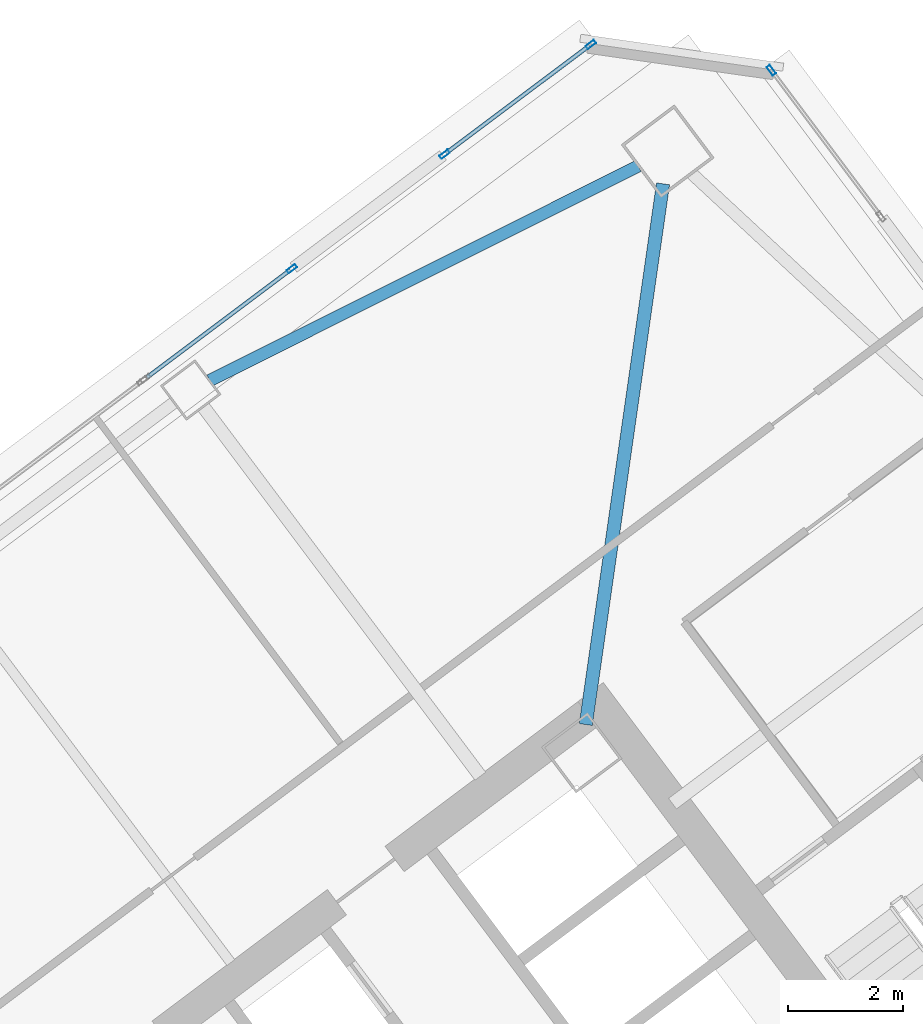
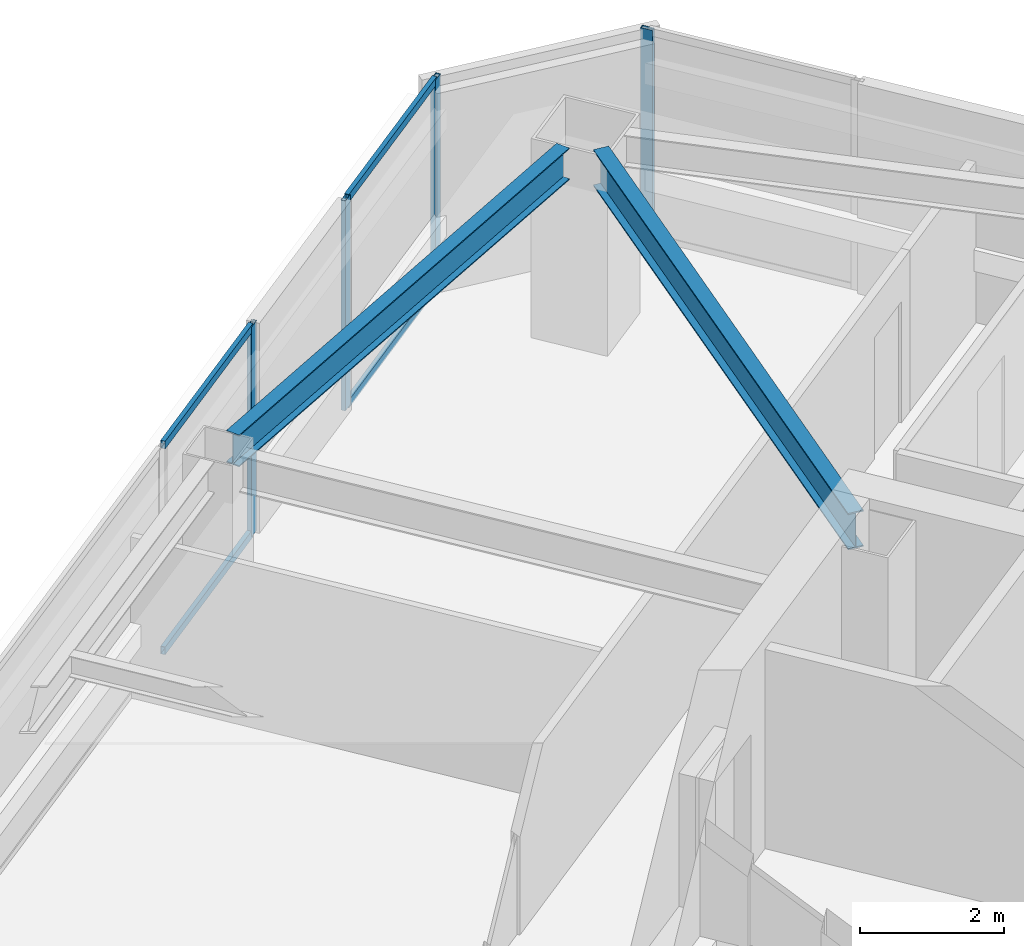
# One storey, part 31 of 46: 8 members, 2 beams, 3 elements without a shape of their own.
"""IFC4 building model written with IfcOpenShell, lengths in metres."""

from ifc_helpers import new_model, si_unit, direction, frame, origin, origin_2d, place, context, subcontext, project, spatial, hollow_rectangle, i_section, extrude, material, material_profile, profile_set, type_object, element, aggregate, save


model = new_model("IFC4")

# Units and contexts
model_context = context("Model", 3, precision=1e-05, world=origin(), true_north=direction((0.0, 1.0)))
body_context = subcontext(model_context, "Body", "Model", "MODEL_VIEW")
ifc_project = project(units=[si_unit("LENGTHUNIT", "METRE"), si_unit("AREAUNIT", "SQUARE_METRE"), si_unit("VOLUMEUNIT", "CUBIC_METRE"), si_unit("PLANEANGLEUNIT", "RADIAN"), si_unit("MASSUNIT", "GRAM", prefix="KILO")], contexts=[model_context])

# Site, building, storey
site_placement = place(None, origin())
site = spatial("IfcSite", under=ifc_project, at=site_placement, CompositionType="ELEMENT")
building_placement = place(site_placement, origin())
building = spatial("IfcBuilding", under=site, at=building_placement, Name="Tashvorn Skyway Center", CompositionType="ELEMENT")
storey_placement = place(building_placement, frame((0.0, 0.0, 167.64990234375)))
storey = spatial("IfcBuildingStorey", under=building, at=storey_placement, Name="L45", CompositionType="ELEMENT", Elevation=167.64990234375)

# Beams
ifc_material_1 = material(Name="Steel ASTM A992 Grade 50", Category="steel")
ifc_material_profile_1 = material_profile(ifc_material_1, i_section(OverallWidth=0.22998046875, OverallDepth=0.616943359375, WebThickness=0.01318359375, FlangeThickness=0.022216796875, at=origin_2d()), Name="W24X94")
ifc_profile_set_1 = profile_set([ifc_material_profile_1], Name="Steel ASTM A992 Grade 50")
beam_type_1 = type_object("IfcBeamType", Name="BM-BEAM-W24X94", PredefinedType="BEAM", material=ifc_profile_set_1)
beam_1_placement = place(storey_placement, frame((116.8193359375, 51.73583984375, 3.0615234375), z_axis=(-0.141417747326, -0.989950009213, 0.0), x_axis=(0.989950009213, -0.141417747326, 0.0)))
element("IfcBeam", 1, at=beam_1_placement, inside=storey, type_object=beam_type_1, Name="Tower 2 L45 Primary Floor Girder MC-NE", PredefinedType="BEAM", context=body_context, shape_type="SweptSolid", body=[
    extrude(i_section(OverallWidth=0.22998046875, OverallDepth=0.616943359375, WebThickness=0.01318359375, FlangeThickness=0.022216796875, at=origin_2d()), origin(), (0.0, 0.0, 1.0), 9.470947265625),
])
ifc_material_profile_2 = material_profile(ifc_material_1, i_section(OverallWidth=0.2109375, OverallDepth=0.5390625, WebThickness=0.01171875, FlangeThickness=0.018798828125, at=origin_2d()), Name="W21X73")
ifc_profile_set_2 = profile_set([ifc_material_profile_2], Name="Steel ASTM A992 Grade 50")
beam_type_2 = type_object("IfcBeamType", Name="BM-SPANDREL-W21X73", PredefinedType="SPANDREL", material=ifc_profile_set_2)
beam_2_placement = place(storey_placement, frame((116.390380859375, 52.044921875, 3.1005859375), z_axis=(-0.894209637559, -0.447648438059, 0.0), x_axis=(0.447648438059, -0.894209637559, 0.0)))
element("IfcBeam", 2, at=beam_2_placement, inside=storey, type_object=beam_type_2, Name="Tower 2 L45 Spandrel Beam 07", PredefinedType="SPANDREL", context=body_context, shape_type="SweptSolid", body=[
    extrude(i_section(OverallWidth=0.2109375, OverallDepth=0.5390625, WebThickness=0.01171875, FlangeThickness=0.018798828125, at=origin_2d()), origin(), (0.0, 0.0, 1.0), 8.308349609375),
])

# Curtain wall, member
ifc_material_2 = material(Name="Thermally broken bronze-anodized aluminium 6063-T6", Category="aluminium")
curtain_wall_type = type_object("IfcCurtainWallType", Name="CW-CW-Z4", PredefinedType="NOTDEFINED", material=ifc_material_2)
curtain_wall_1_placement = place(storey_placement, origin())
curtain_wall_1 = element("IfcCurtainWall", 3, at=curtain_wall_1_placement, inside=storey, type_object=curtain_wall_type, Name="Tower 2 L45 North Unitised Curtain Wall Glazing Group 4", PredefinedType="NOTDEFINED")
ifc_material_profile_3 = material_profile(ifc_material_2, hollow_rectangle(XDim=0.070068359375, YDim=0.179931640625, WallThickness=0.00390625, at=origin_2d()), Name="ALU-MULL-70x180")
ifc_profile_set_3 = profile_set([ifc_material_profile_3], Name="Thermally broken bronze-anodized aluminium 6063-T6")
member_type_1 = type_object("IfcMemberType", Name="CWM-CW-Z4", PredefinedType="MULLION", material=ifc_profile_set_3)
member_1_placement = place(storey_placement, frame((110.384033203125, 50.262939453125, 0.0), z_axis=(0.0, 0.0, 1.0), x_axis=(-0.600000000002, 0.799999999998, 0.0)))
member_1 = element("IfcMember", 4, at=member_1_placement, type_object=member_type_1, Name="CW-Z4 mullion 2", PredefinedType="MULLION", context=body_context, shape_type="SweptSolid", body=[
    extrude(hollow_rectangle(XDim=0.070068359375, YDim=0.179931640625, WallThickness=0.00390625, at=origin_2d()), origin(), (0.0, 0.0, 1.0), 3.550048828125),
])

# Curtain wall, members
curtain_wall_2_placement = place(storey_placement, origin())
curtain_wall_2 = element("IfcCurtainWall", 5, at=curtain_wall_2_placement, inside=storey, type_object=curtain_wall_type, Name="Tower 2 L45 North Unitised Curtain Wall Glazing Group 5", PredefinedType="NOTDEFINED")
member_2_placement = place(storey_placement, frame((113.031982421875, 52.2490234375, 0.0), z_axis=(0.0, 0.0, 1.0), x_axis=(-0.600000000002, 0.799999999998, 0.0)))
member_2 = element("IfcMember", 6, at=member_2_placement, type_object=member_type_1, Name="CW-Z4 mullion 1", PredefinedType="MULLION", context=body_context, shape_type="SweptSolid", body=[
    extrude(hollow_rectangle(XDim=0.070068359375, YDim=0.179931640625, WallThickness=0.00390625, at=origin_2d()), origin(), (0.0, 0.0, 1.0), 3.550048828125),
])
member_3_placement = place(storey_placement, frame((115.568115234375, 54.15087890625, 0.0), z_axis=(0.0, 0.0, 1.0), x_axis=(-0.600000000002, 0.799999999998, 0.0)))
member_3 = element("IfcMember", 7, at=member_3_placement, type_object=member_type_1, Name="CW-Z4 mullion 2", PredefinedType="MULLION", context=body_context, shape_type="SweptSolid", body=[
    extrude(hollow_rectangle(XDim=0.070068359375, YDim=0.179931640625, WallThickness=0.00390625, at=origin_2d()), origin(), (0.0, 0.0, 1.0), 3.550048828125),
])

# Curtain wall, member
curtain_wall_3_placement = place(storey_placement, origin())
curtain_wall_3 = element("IfcCurtainWall", 8, at=curtain_wall_3_placement, inside=storey, type_object=curtain_wall_type, Name="Tower 2 L45 East Unitised Curtain Wall Glazing Group 1", PredefinedType="NOTDEFINED")
member_4_placement = place(storey_placement, frame((118.697021484375, 53.7041015625, 0.0), z_axis=(0.0, 0.0, 1.0), x_axis=(0.799999999998, 0.600000000002, 0.0)))
member_4 = element("IfcMember", 9, at=member_4_placement, type_object=member_type_1, Name="CW-Z4 mullion 1", PredefinedType="MULLION", context=body_context, shape_type="SweptSolid", body=[
    extrude(hollow_rectangle(XDim=0.070068359375, YDim=0.179931640625, WallThickness=0.00390625, at=origin_2d()), origin(), (0.0, 0.0, 1.0), 3.550048828125),
])
aggregate(curtain_wall_3, [member_4])

# Member
ifc_material_profile_4 = material_profile(ifc_material_2, hollow_rectangle(XDim=0.070068359375, YDim=0.1298828125, WallThickness=0.00390625, at=origin_2d()), Name="ALU-TRAN-70x130")
ifc_profile_set_4 = profile_set([ifc_material_profile_4], Name="Thermally broken bronze-anodized aluminium 6063-T6")
member_type_2 = type_object("IfcMemberType", Name="CWT-CW-Z4", PredefinedType="USERDEFINED", material=ifc_profile_set_4)
member_5_placement = place(storey_placement, frame((107.8759765625, 48.382080078125, 0.03515625), z_axis=(0.800018901408, 0.599974797295, 0.0), x_axis=(-0.599974797295, 0.800018901408, 0.0)))
member_5 = element("IfcMember", 10, at=member_5_placement, type_object=member_type_2, Name="CW-Z4 transom 1.1", ObjectType="TRANSOM", PredefinedType="USERDEFINED", context=body_context, shape_type="SweptSolid", body=[
    extrude(hollow_rectangle(XDim=0.070068359375, YDim=0.1298828125, WallThickness=0.00390625, at=origin_2d()), origin(), (0.0, 0.0, 1.0), 3.099853515625),
])

member_6_placement = place(storey_placement, frame((107.8759765625, 48.382080078125, 3.51513671875), z_axis=(0.800018901408, 0.599974797295, 0.0), x_axis=(-0.599974797295, 0.800018901408, 0.0)))
member_6 = element("IfcMember", 11, at=member_6_placement, type_object=member_type_2, Name="CW-Z4 transom 1.2", ObjectType="TRANSOM", PredefinedType="USERDEFINED", context=body_context, shape_type="SweptSolid", body=[
    extrude(hollow_rectangle(XDim=0.070068359375, YDim=0.1298828125, WallThickness=0.00390625, at=origin_2d()), origin(), (0.0, 0.0, 1.0), 3.099853515625),
])

aggregate(curtain_wall_1, [member_1, member_5, member_6])

member_7_placement = place(storey_placement, frame((113.06005859375, 52.27001953125, 0.03515625), z_axis=(0.800018901408, 0.599974797295, 0.0), x_axis=(-0.599974797295, 0.800018901408, 0.0)))
member_7 = element("IfcMember", 12, at=member_7_placement, type_object=member_type_2, Name="CW-Z4 transom 1.1", ObjectType="TRANSOM", PredefinedType="USERDEFINED", context=body_context, shape_type="SweptSolid", body=[
    extrude(hollow_rectangle(XDim=0.070068359375, YDim=0.1298828125, WallThickness=0.00390625, at=origin_2d()), origin(), (0.0, 0.0, 1.0), 3.099853515625),
])

member_8_placement = place(storey_placement, frame((113.06005859375, 52.27001953125, 3.51513671875), z_axis=(0.800018901408, 0.599974797295, 0.0), x_axis=(-0.599974797295, 0.800018901408, 0.0)))
member_8 = element("IfcMember", 13, at=member_8_placement, type_object=member_type_2, Name="CW-Z4 transom 1.2", ObjectType="TRANSOM", PredefinedType="USERDEFINED", context=body_context, shape_type="SweptSolid", body=[
    extrude(hollow_rectangle(XDim=0.070068359375, YDim=0.1298828125, WallThickness=0.00390625, at=origin_2d()), origin(), (0.0, 0.0, 1.0), 3.099853515625),
])

aggregate(curtain_wall_2, [member_2, member_3, member_7, member_8])

save(model, "model.ifc")
